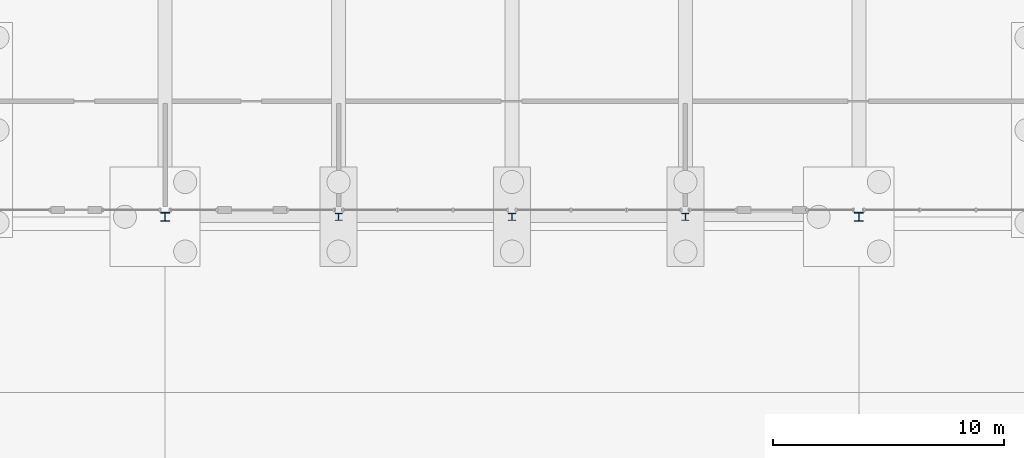
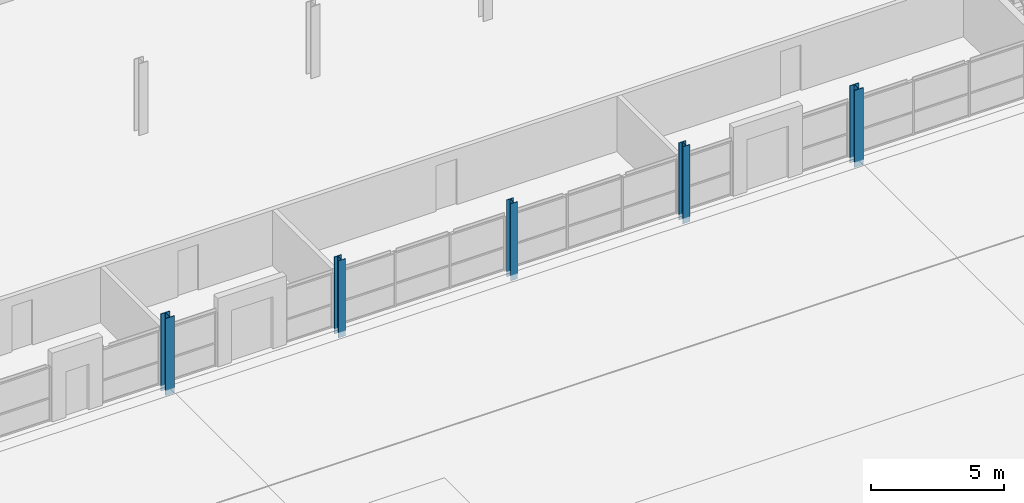
# One storey, part 23 of 130: 5 columns.
"""IFC4 building model written with IfcOpenShell, lengths in metres."""

from ifc_helpers import new_model, si_unit, direction, frame, origin, origin_2d, place, context, subcontext, project, spatial, i_section, extrude, material, material_profile, profile_set, type_object, element, save


model = new_model("IFC4")

# Units and contexts
model_context = context("Model", 3, precision=1e-05, world=origin(), true_north=direction((0.0, 1.0)))
body_context = subcontext(model_context, "Body", "Model", "MODEL_VIEW")
ifc_project = project(units=[si_unit("LENGTHUNIT", "METRE"), si_unit("AREAUNIT", "SQUARE_METRE"), si_unit("VOLUMEUNIT", "CUBIC_METRE"), si_unit("PLANEANGLEUNIT", "RADIAN"), si_unit("MASSUNIT", "GRAM", prefix="KILO")], contexts=[model_context])

# Site, building, storey
site_placement = place(None, origin())
site = spatial("IfcSite", under=ifc_project, at=site_placement, CompositionType="ELEMENT")
building_placement = place(site_placement, origin())
building = spatial("IfcBuilding", under=site, at=building_placement, Name="Parallax Yard Mobility Hub", CompositionType="ELEMENT")
storey_placement = place(building_placement, origin())
storey = spatial("IfcBuildingStorey", under=building, at=storey_placement, Name="L00", CompositionType="ELEMENT", Elevation=0.0)

# Columns
ifc_material = material(Name="Steel ASTM A992", Category="steel")
ifc_material_profile_1 = material_profile(ifc_material, i_section(OverallWidth=0.306884765625, OverallDepth=0.318115234375, WebThickness=0.01318359375, FlangeThickness=0.0205078125, FilletRadius=0.01513671875, at=origin_2d()), Name="W310x129")
ifc_profile_set_1 = profile_set([ifc_material_profile_1], Name="Steel ASTM A992")
column_type_1 = type_object("IfcColumnType", Name="W310x129 column", PredefinedType="COLUMN", material=ifc_profile_set_1)
for number, where, z_axis, x_axis, name in (
    (1, (97.5, 112.5, -0.25), (0.0, 0.0, 1.0), (1.0, 0.0, 0.0), "Column C3 level L00 at R/14 of ramped parking decks"),
    (2, (105.0, 112.5, -0.25), (0.0, 0.0, 1.0), (1.0, 0.0, 0.0), "Column C3 level L00 at R/15 of ramped parking decks"),
    (3, (112.5, 112.5, -0.25), (0.0, 0.0, 1.0), (1.0, 0.0, 0.0), "Column C3 level L00 at R/16 of ramped parking decks"),
):
    element("IfcColumn", number, at=place(storey_placement, frame(where, z_axis=z_axis, x_axis=x_axis)), inside=storey, type_object=column_type_1, Name=name, PredefinedType="COLUMN", context=body_context, shape_type="SweptSolid", body=[
        extrude(i_section(OverallWidth=0.306884765625, OverallDepth=0.318115234375, WebThickness=0.01318359375, FlangeThickness=0.0205078125, FilletRadius=0.01513671875, at=origin_2d()), origin(), (0.0, 0.0, 1.0), 3.550048828125),
    ])
ifc_material_profile_2 = material_profile(ifc_material, i_section(OverallWidth=0.39404296875, OverallDepth=0.3759765625, WebThickness=0.017333984375, FlangeThickness=0.027587890625, FilletRadius=0.01513671875, at=origin_2d()), Name="W360x216")
ifc_profile_set_2 = profile_set([ifc_material_profile_2], Name="Steel ASTM A992")
column_type_2 = type_object("IfcColumnType", Name="W360x216 column", PredefinedType="COLUMN", material=ifc_profile_set_2)
for number, where, z_axis, x_axis, name in (
    (4, (90.0, 112.5, -0.25), (0.0, 0.0, 1.0), (1.0, 0.0, 0.0), "Column C9 level L00 at R/13 of ramped parking decks"),
    (5, (120.0, 112.5, -0.25), (0.0, 0.0, 1.0), (1.0, 0.0, 0.0), "Column C9 level L00 at R/17 of ramped parking decks"),
):
    element("IfcColumn", number, at=place(storey_placement, frame(where, z_axis=z_axis, x_axis=x_axis)), inside=storey, type_object=column_type_2, Name=name, PredefinedType="COLUMN", context=body_context, shape_type="SweptSolid", body=[
        extrude(i_section(OverallWidth=0.39404296875, OverallDepth=0.3759765625, WebThickness=0.017333984375, FlangeThickness=0.027587890625, FilletRadius=0.01513671875, at=origin_2d()), origin(), (0.0, 0.0, 1.0), 3.550048828125),
    ])

save(model, "model.ifc")
